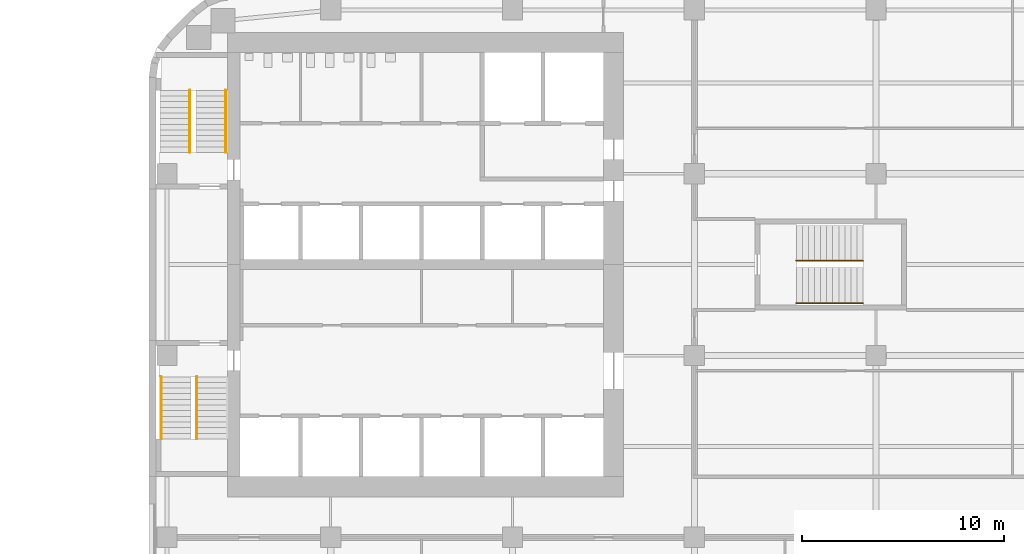
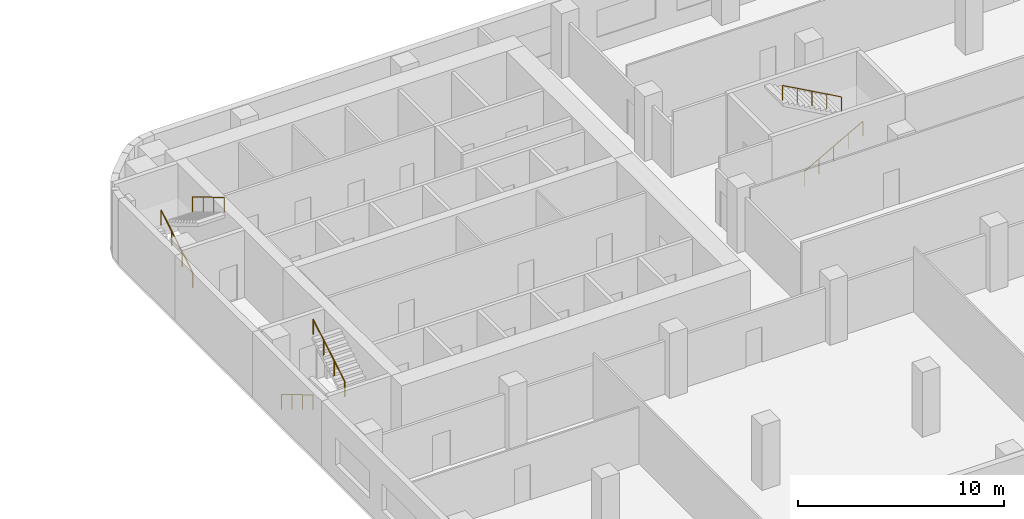
# One storey, part 15 of 16: 6 railings, 3 elements without a shape of their own.
"""IFC4 building model written with IfcOpenShell, lengths in metres."""

from ifc_helpers import new_model, si_unit, direction, frame, origin, origin_2d, place, context, subcontext, project, spatial, circle, extrude, material, type_object, element, aggregate, save


model = new_model("IFC4")

# Units and contexts
model_context = context("Model", 3, precision=1e-05, world=origin(), true_north=direction((0.0, 1.0)))
body_context = subcontext(model_context, "Body", "Model", "MODEL_VIEW")
ifc_project = project(units=[si_unit("LENGTHUNIT", "METRE"), si_unit("AREAUNIT", "SQUARE_METRE"), si_unit("VOLUMEUNIT", "CUBIC_METRE"), si_unit("PLANEANGLEUNIT", "RADIAN"), si_unit("MASSUNIT", "GRAM", prefix="KILO")], contexts=[model_context])

# Site, building, storey
site_placement = place(None, origin())
site = spatial("IfcSite", under=ifc_project, at=site_placement, CompositionType="ELEMENT")
building_placement = place(site_placement, origin())
building = spatial("IfcBuilding", under=site, at=building_placement, Name="Cinnabar Reach Civic Tower", CompositionType="ELEMENT")
storey_placement = place(building_placement, frame((0.0, 0.0, 34.0)))
storey = spatial("IfcBuildingStorey", under=building, at=storey_placement, Name="L07", CompositionType="ELEMENT", Elevation=34.0)

# Stair, railings
ifc_material_1 = material(Name="Concrete C40/50", Category="concrete")
stair_type = type_object("IfcStairType", Name="T1 Exit stair, half-turn", PredefinedType="HALF_TURN_STAIR", material=ifc_material_1)
stair_1_placement = place(storey_placement, origin())
stair_1 = element("IfcStair", 1, at=stair_1_placement, inside=storey, type_object=stair_type, Name="Stair T1-S1", PredefinedType="HALF_TURN_STAIR")
ifc_material_2 = material(Name="Stainless steel tube", Category="steel")
railing_type = type_object("IfcRailingType", Name="T1 Stair handrail, stainless tube 48", PredefinedType="HANDRAIL", material=ifc_material_2)
railing_1_placement = place(storey_placement, frame((0.6, 25.95, 0.1667)))
railing_1 = element("IfcRailing", 2, at=railing_1_placement, type_object=railing_type, Name="T1-S1 handrail 1", PredefinedType="HANDRAIL", context=body_context, shape_type="SweptSolid", body=[
    extrude(circle(Radius=0.024, at=origin_2d()), frame((0.0, 0.0, 0.876), z_axis=(0.0, -0.859296971757, 0.511476992962), x_axis=(1.0, 0.0, 0.0)), (0.0, 0.0, 1.0), 3.5843),
    extrude(circle(Radius=0.021, at=origin_2d()), origin(), (0.0, 0.0, 1.0), 0.852),
    extrude(circle(Radius=0.021, at=origin_2d()), frame((0.0, -1.0267, 0.6111)), (0.0, 0.0, 1.0), 0.852),
    extrude(circle(Radius=0.021, at=origin_2d()), frame((0.0, -2.0533, 1.2222)), (0.0, 0.0, 1.0), 0.852),
    extrude(circle(Radius=0.021, at=origin_2d()), frame((0.0, -3.08, 1.8333)), (0.0, 0.0, 1.0), 0.852),
])
railing_2_placement = place(storey_placement, frame((2.375, 22.87, 2.1667)))
railing_2 = element("IfcRailing", 3, at=railing_2_placement, type_object=railing_type, Name="T1-S1 handrail 2", PredefinedType="HANDRAIL", context=body_context, shape_type="SweptSolid", body=[
    extrude(circle(Radius=0.024, at=origin_2d()), frame((0.0, 0.0, 0.876), z_axis=(0.0, 0.859296971757, 0.511476992962), x_axis=(-1.0, 0.0, 0.0)), (0.0, 0.0, 1.0), 3.5843),
    extrude(circle(Radius=0.021, at=origin_2d()), origin(), (0.0, 0.0, 1.0), 0.852),
    extrude(circle(Radius=0.021, at=origin_2d()), frame((0.0, 1.0267, 0.6111)), (0.0, 0.0, 1.0), 0.852),
    extrude(circle(Radius=0.021, at=origin_2d()), frame((0.0, 2.0533, 1.2222)), (0.0, 0.0, 1.0), 0.852),
    extrude(circle(Radius=0.021, at=origin_2d()), frame((0.0, 3.08, 1.8333)), (0.0, 0.0, 1.0), 0.852),
])
aggregate(stair_1, [railing_1, railing_2])

stair_2_placement = place(storey_placement, origin())
stair_2 = element("IfcStair", 4, at=stair_2_placement, inside=storey, type_object=stair_type, Name="Stair T1-S2", PredefinedType="HALF_TURN_STAIR")
railing_3_placement = place(storey_placement, frame((2.025, 37.05, 0.1667)))
railing_3 = element("IfcRailing", 5, at=railing_3_placement, type_object=railing_type, Name="T1-S2 handrail 1", PredefinedType="HANDRAIL", context=body_context, shape_type="SweptSolid", body=[
    extrude(circle(Radius=0.024, at=origin_2d()), frame((0.0, 0.0, 0.876), z_axis=(0.0, 0.859296971757, 0.511476992962), x_axis=(-1.0, 0.0, 0.0)), (0.0, 0.0, 1.0), 3.5843),
    extrude(circle(Radius=0.021, at=origin_2d()), origin(), (0.0, 0.0, 1.0), 0.852),
    extrude(circle(Radius=0.021, at=origin_2d()), frame((0.0, 1.0267, 0.6111)), (0.0, 0.0, 1.0), 0.852),
    extrude(circle(Radius=0.021, at=origin_2d()), frame((0.0, 2.0533, 1.2222)), (0.0, 0.0, 1.0), 0.852),
    extrude(circle(Radius=0.021, at=origin_2d()), frame((0.0, 3.08, 1.8333)), (0.0, 0.0, 1.0), 0.852),
])
railing_4_placement = place(storey_placement, frame((3.8, 40.13, 2.1667)))
railing_4 = element("IfcRailing", 6, at=railing_4_placement, type_object=railing_type, Name="T1-S2 handrail 2", PredefinedType="HANDRAIL", context=body_context, shape_type="SweptSolid", body=[
    extrude(circle(Radius=0.024, at=origin_2d()), frame((0.0, 0.0, 0.876), z_axis=(0.0, -0.859296971757, 0.511476992962), x_axis=(1.0, 0.0, 0.0)), (0.0, 0.0, 1.0), 3.5843),
    extrude(circle(Radius=0.021, at=origin_2d()), origin(), (0.0, 0.0, 1.0), 0.852),
    extrude(circle(Radius=0.021, at=origin_2d()), frame((0.0, -1.0267, 0.6111)), (0.0, 0.0, 1.0), 0.852),
    extrude(circle(Radius=0.021, at=origin_2d()), frame((0.0, -2.0533, 1.2222)), (0.0, 0.0, 1.0), 0.852),
    extrude(circle(Radius=0.021, at=origin_2d()), frame((0.0, -3.08, 1.8333)), (0.0, 0.0, 1.0), 0.852),
])
aggregate(stair_2, [railing_3, railing_4])

stair_3_placement = place(storey_placement, origin())
stair_3 = element("IfcStair", 7, at=stair_3_placement, inside=storey, type_object=stair_type, Name="Stair T1-S3", PredefinedType="HALF_TURN_STAIR")
railing_5_placement = place(storey_placement, frame((32.05, 29.6, 0.1667)))
railing_5 = element("IfcRailing", 8, at=railing_5_placement, type_object=railing_type, Name="T1-S3 handrail 1", PredefinedType="HANDRAIL", context=body_context, shape_type="SweptSolid", body=[
    extrude(circle(Radius=0.024, at=origin_2d()), frame((0.0, 0.0, 0.876), z_axis=(0.874161024642, 0.0, 0.485636183781), x_axis=(0.0, 1.0, 0.0)), (0.0, 0.0, 1.0), 3.775),
    extrude(circle(Radius=0.021, at=origin_2d()), origin(), (0.0, 0.0, 1.0), 0.852),
    extrude(circle(Radius=0.021, at=origin_2d()), frame((0.825, 0.0, 0.4583)), (0.0, 0.0, 1.0), 0.852),
    extrude(circle(Radius=0.021, at=origin_2d()), frame((1.65, 0.0, 0.9167)), (0.0, 0.0, 1.0), 0.852),
    extrude(circle(Radius=0.021, at=origin_2d()), frame((2.475, 0.0, 1.375)), (0.0, 0.0, 1.0), 0.852),
    extrude(circle(Radius=0.021, at=origin_2d()), frame((3.3, 0.0, 1.8333)), (0.0, 0.0, 1.0), 0.852),
])
railing_6_placement = place(storey_placement, frame((35.35, 31.7, 2.1667)))
railing_6 = element("IfcRailing", 9, at=railing_6_placement, type_object=railing_type, Name="T1-S3 handrail 2", PredefinedType="HANDRAIL", context=body_context, shape_type="SweptSolid", body=[
    extrude(circle(Radius=0.024, at=origin_2d()), frame((0.0, 0.0, 0.876), z_axis=(-0.874161024642, 0.0, 0.485636183781), x_axis=(0.0, -1.0, 0.0)), (0.0, 0.0, 1.0), 3.775),
    extrude(circle(Radius=0.021, at=origin_2d()), origin(), (0.0, 0.0, 1.0), 0.852),
    extrude(circle(Radius=0.021, at=origin_2d()), frame((-0.825, 0.0, 0.4583)), (0.0, 0.0, 1.0), 0.852),
    extrude(circle(Radius=0.021, at=origin_2d()), frame((-1.65, 0.0, 0.9167)), (0.0, 0.0, 1.0), 0.852),
    extrude(circle(Radius=0.021, at=origin_2d()), frame((-2.475, 0.0, 1.375)), (0.0, 0.0, 1.0), 0.852),
    extrude(circle(Radius=0.021, at=origin_2d()), frame((-3.3, 0.0, 1.8333)), (0.0, 0.0, 1.0), 0.852),
])
aggregate(stair_3, [railing_5, railing_6])

save(model, "model.ifc")
